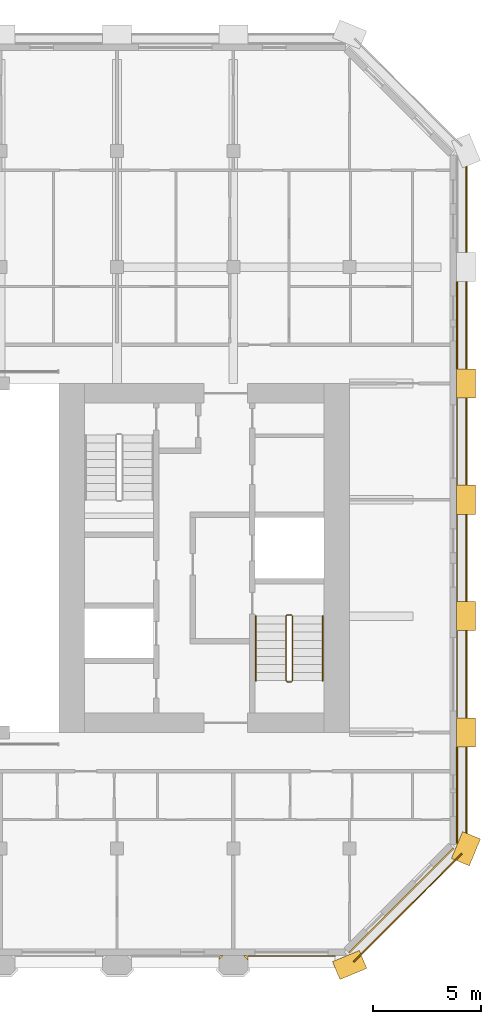
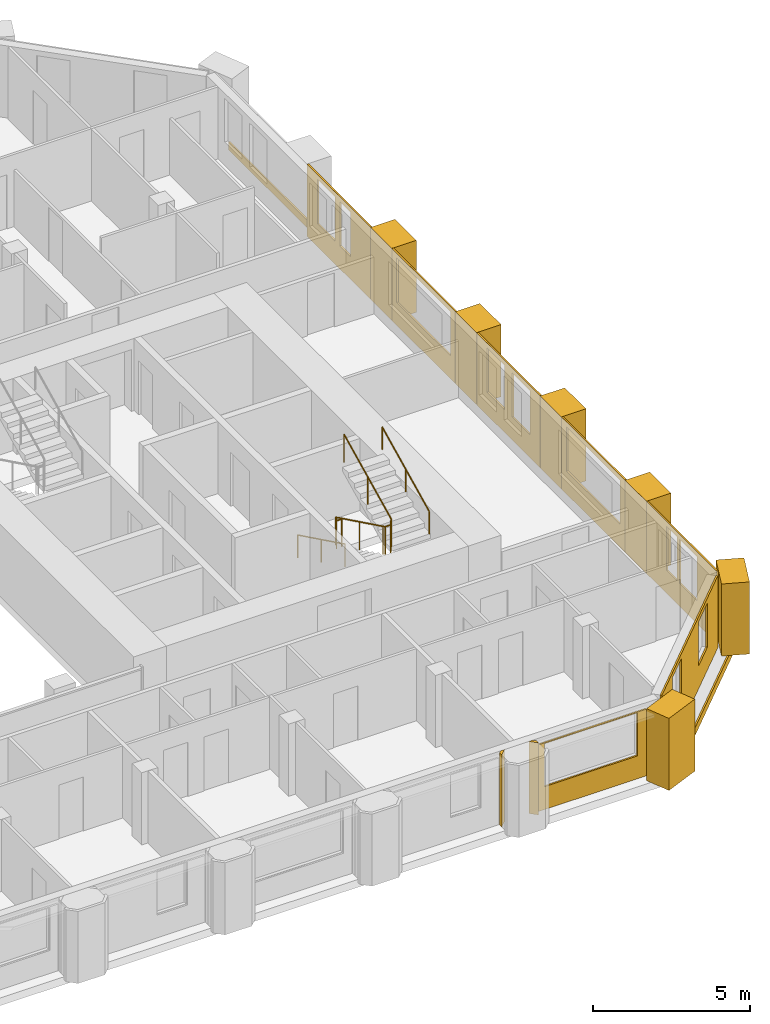
# One storey, part 12 of 13: 17 coverings, 3 railings.
"""IFC4 building model written with IfcOpenShell, lengths in metres."""

from ifc_helpers import new_model, si_unit, direction, frame, frame_2d, origin, origin_2d, place, context, subcontext, project, spatial, polyline, rectangle, circle, outline, extrude, material, layer, layer_set, type_object, element, save


model = new_model("IFC4")

# Units and contexts
model_context = context("Model", 3, precision=1e-05, world=origin(), true_north=direction((0.0, 1.0)))
body_context = subcontext(model_context, "Body", "Model", "MODEL_VIEW")
ifc_project = project(units=[si_unit("LENGTHUNIT", "METRE"), si_unit("AREAUNIT", "SQUARE_METRE"), si_unit("VOLUMEUNIT", "CUBIC_METRE"), si_unit("PLANEANGLEUNIT", "RADIAN"), si_unit("MASSUNIT", "GRAM", prefix="KILO")], contexts=[model_context])

# Site, building, storey
site_placement = place(None, origin())
site = spatial("IfcSite", under=ifc_project, at=site_placement, CompositionType="ELEMENT")
building_placement = place(site_placement, origin())
building = spatial("IfcBuilding", under=site, at=building_placement, Name="Tabaq Tower and Sports Hall", CompositionType="ELEMENT")
storey_placement = place(building_placement, frame((0.0, 0.0, 304.89990234375)))
storey = spatial("IfcBuildingStorey", under=building, at=storey_placement, Name="L76", CompositionType="ELEMENT", Elevation=304.89990234375)

# Coverings
ifc_material_1 = material(Name="Precast concrete C60/75", Category="concrete")
ifc_layer_1 = layer(ifc_material_1, 0.10009765625)
ifc_layer_set_1 = layer_set([ifc_layer_1], Name="Column cladding 100")
covering_type_1 = type_object("IfcCoveringType", Name="Column cladding 100", PredefinedType="CLADDING", material=ifc_layer_set_1)
covering_1_placement = place(storey_placement, origin())
element("IfcCovering", 1, at=covering_1_placement, inside=storey, type_object=covering_type_1, Name="Column cladding L76 PC-8B-R2 2", PredefinedType="CLADDING", context=body_context, shape_type="SweptSolid", body=[
    extrude(outline(polyline([(37.208740234375, 5.849609375), (37.349365234375, 5.849609375), (37.125244140625, 5.625732421875), (37.125244140625, 5.766357421875), (37.208740234375, 5.849609375)])), origin(), (0.0, 0.0, 1.0), 2.800048828125),
])
covering_2_placement = place(storey_placement, origin())
element("IfcCovering", 2, at=covering_2_placement, inside=storey, type_object=covering_type_1, Name="Column cladding L76 PC-8B-R2 3", PredefinedType="CLADDING", context=body_context, shape_type="SweptSolid", body=[
    extrude(outline(polyline([(38.474365234375, 5.62646484375), (38.25146484375, 5.849365234375), (38.39111328125, 5.849365234375), (38.474365234375, 5.76611328125), (38.474365234375, 5.62646484375)])), origin(), (0.0, 0.0, 1.0), 2.800048828125),
])
ifc_material_2 = material(Name="Precast concrete C60/75", Category="concrete")
ifc_layer_2 = layer(ifc_material_2, 0.06005859375)
ifc_layer_set_2 = layer_set([ifc_layer_2], Name="Edge beam cladding 60")
covering_type_2 = type_object("IfcCoveringType", Name="Edge beam cladding 60", PredefinedType="CLADDING", material=ifc_layer_set_2)
covering_3_placement = place(storey_placement, frame((43.39794921875, 5.5556640625, -0.2998046875), z_axis=(0.0, 0.0, 1.0), x_axis=(0.707124002701, 0.707089559252, 0.0)))
element("IfcCovering", 3, at=covering_3_placement, inside=storey, type_object=covering_type_2, Name="Edge beam cladding L76 1", PredefinedType="CLADDING", context=body_context, shape_type="SweptSolid", body=[
    extrude(rectangle(XDim=7.088134765625, YDim=0.06005859375, at=frame_2d((3.5439453125, 0.0))), origin(), (0.0, 0.0, 1.0), 0.2998046875),
])
covering_4_placement = place(storey_placement, frame((48.6298828125, 11.0986328125, -0.2998046875), z_axis=(0.0, 0.0, 1.0), x_axis=(0.0, 1.0, 0.0)))
element("IfcCovering", 4, at=covering_4_placement, inside=storey, type_object=covering_type_2, Name="Edge beam cladding L76 2", PredefinedType="CLADDING", context=body_context, shape_type="SweptSolid", body=[
    extrude(rectangle(XDim=31.802734375, YDim=0.06005859375, at=frame_2d((15.9013671875, 0.0))), origin(), (0.0, 0.0, 1.0), 0.2998046875),
])
ifc_material_3 = material(Name="White precast concrete C60/75", Category="concrete")
covering_type_3 = type_object("IfcCoveringType", Name="Pier cladding hung 1350x900", PredefinedType="CLADDING", material=ifc_material_3)
for number, where, z_axis, x_axis, name in (
    (5, (42.576416015625, 5.1416015625, 0.0), (0.0, 0.0, 1.0), (0.923893411637, 0.382649923473, 0.0), "Hung pier cladding 8/1"),
    (6, (48.341796875, 10.17626953125, 0.0), (0.0, 0.0, 1.0), (0.382649923473, 0.923893411637, 0.0), "Hung pier cladding 9/2"),
    (7, (48.60009765625, 15.52490234375, 0.0), (0.0, 0.0, 1.0), (0.0, 1.0, 0.0), "Hung pier cladding 9/3"),
):
    element("IfcCovering", number, at=place(storey_placement, frame(where, z_axis=z_axis, x_axis=x_axis)), inside=storey, type_object=covering_type_3, Name=name, PredefinedType="CLADDING", context=body_context, shape_type="SweptSolid", body=[
        extrude(rectangle(XDim=1.35009765625, YDim=0.89990234375, at=frame_2d((0.675048828125, 0.0))), origin(), (0.0, 0.0, 1.0), 2.800048828125),
    ])
covering_5_placement = place(storey_placement, frame((48.60009765625, 20.925048828125, 0.0), z_axis=(0.0, 0.0, 1.0), x_axis=(0.0, 1.0, 0.0)))
element("IfcCovering", 8, at=covering_5_placement, inside=storey, type_object=covering_type_3, Name="Hung pier cladding 9/4", PredefinedType="CLADDING", context=body_context, shape_type="SweptSolid", body=[
    extrude(rectangle(XDim=1.349853515625, YDim=0.89990234375, at=frame_2d((0.6748046875, 0.0))), origin(), (0.0, 0.0, 1.0), 2.800048828125),
])
covering_6_placement = place(storey_placement, frame((48.60009765625, 26.324951171875, 0.0), z_axis=(0.0, 0.0, 1.0), x_axis=(0.0, 1.0, 0.0)))
element("IfcCovering", 9, at=covering_6_placement, inside=storey, type_object=covering_type_3, Name="Hung pier cladding 9/5", PredefinedType="CLADDING", context=body_context, shape_type="SweptSolid", body=[
    extrude(rectangle(XDim=1.35009765625, YDim=0.89990234375, at=frame_2d((0.675048828125, 0.0))), origin(), (0.0, 0.0, 1.0), 2.800048828125),
])
covering_7_placement = place(storey_placement, frame((48.60009765625, 31.72509765625, 0.0), z_axis=(0.0, 0.0, 1.0), x_axis=(0.0, 1.0, 0.0)))
element("IfcCovering", 10, at=covering_7_placement, inside=storey, type_object=covering_type_3, Name="Hung pier cladding 9/6", PredefinedType="CLADDING", context=body_context, shape_type="SweptSolid", body=[
    extrude(rectangle(XDim=1.349853515625, YDim=0.89990234375, at=frame_2d((0.6748046875, 0.0))), origin(), (0.0, 0.0, 1.0), 2.800048828125),
])

# Railings
ifc_material_4 = material(Name="Stainless steel", Category="steel")
railing_type_1 = type_object("IfcRailingType", Name="Stair guard", PredefinedType="GUARDRAIL", material=ifc_material_4)
railing_1_placement = place(storey_placement, frame((40.5, 21.64990234375, 0.0)))
element("IfcRailing", 11, at=railing_1_placement, inside=storey, type_object=railing_type_1, Name="L76 ST3 stair guard 1", PredefinedType="GUARDRAIL", context=body_context, shape_type="SweptSolid", body=[
    extrude(circle(Radius=0.02392578125, at=origin_2d()), frame((0.0, 0.0, 1.076171875), z_axis=(-1.0, 0.0, 0.0), x_axis=(0.0, -1.0, 0.0)), (0.0, 0.0, 1.0), 0.199951171875),
    extrude(circle(Radius=0.02392578125, at=origin_2d()), frame((-0.199951171875, 0.0, 1.076171875), z_axis=(-0.254733673405, -0.25349107012, 0.933195066962), x_axis=(0.705375805398, -0.708833529934, 0.0)), (0.0, 0.0, 1.0), 0.196533203125),
    extrude(circle(Radius=0.02392578125, at=origin_2d()), frame((-0.25, -0.0498046875, 1.25927734375), z_axis=(0.0, -0.898368975038, 0.439241601728), x_axis=(1.0, 0.0, 0.0)), (0.0, 0.0, 1.0), 3.33935546875),
    extrude(circle(Radius=0.02392578125, at=origin_2d()), frame((-0.25, -3.0498046875, 2.72607421875), z_axis=(0.707106781187, -0.707106781187, 0.0), x_axis=(0.707106781187, 0.707106781187, 0.0)), (0.0, 0.0, 1.0), 0.07080078125),
    extrude(circle(Radius=0.02392578125, at=origin_2d()), frame((-0.199951171875, -3.099853515625, 2.72607421875), z_axis=(1.0, 0.0, 0.0), x_axis=(0.0, 1.0, 0.0)), (0.0, 0.0, 1.0), 0.199951171875),
    extrude(circle(Radius=0.02392578125, at=origin_2d()), frame((0.0, -3.099853515625, 2.72607421875), z_axis=(0.254653276557, 0.254653276557, 0.932900539971), x_axis=(-0.707106781187, 0.707106781187, 0.0)), (0.0, 0.0, 1.0), 0.196533203125),
    extrude(circle(Radius=0.02392578125, at=origin_2d()), frame((0.050048828125, -3.0498046875, 2.90966796875), z_axis=(0.0, 0.898397823093, 0.439182594671), x_axis=(-1.0, 0.0, 0.0)), (0.0, 0.0, 1.0), 3.33935546875),
    extrude(circle(Radius=0.02099609375, at=origin_2d()), origin(), (0.0, 0.0, 1.0), 1.052001953125),
    extrude(circle(Radius=0.02099609375, at=origin_2d()), frame((-0.199951171875, 0.0, 0.0)), (0.0, 0.0, 1.0), 1.052001953125),
    extrude(circle(Radius=0.02099609375, at=origin_2d()), frame((-0.25, -0.0498046875, 0.183349609375)), (0.0, 0.0, 1.0), 1.052001953125),
    extrude(circle(Radius=0.02099609375, at=origin_2d()), frame((-0.25, -1.5498046875, 0.916748046875)), (0.0, 0.0, 1.0), 1.052001953125),
    extrude(circle(Radius=0.02099609375, at=origin_2d()), frame((-0.25, -3.0498046875, 1.650146484375)), (0.0, 0.0, 1.0), 1.052001953125),
    extrude(circle(Radius=0.02099609375, at=origin_2d()), frame((-0.199951171875, -3.099853515625, 1.650146484375)), (0.0, 0.0, 1.0), 1.052001953125),
    extrude(circle(Radius=0.02099609375, at=origin_2d()), frame((0.0, -3.099853515625, 1.650146484375)), (0.0, 0.0, 1.0), 1.052001953125),
    extrude(circle(Radius=0.02099609375, at=origin_2d()), frame((0.050048828125, -3.0498046875, 1.83349609375)), (0.0, 0.0, 1.0), 1.052001953125),
    extrude(circle(Radius=0.02099609375, at=origin_2d()), frame((0.050048828125, -1.5498046875, 2.56689453125)), (0.0, 0.0, 1.0), 1.052001953125),
    extrude(circle(Radius=0.02099609375, at=origin_2d()), frame((0.050048828125, -0.0498046875, 3.300048828125)), (0.0, 0.0, 1.0), 1.052001953125),
])
ifc_material_5 = material(Name="Stainless steel", Category="steel")
railing_type_2 = type_object("IfcRailingType", Name="Stair handrail", PredefinedType="HANDRAIL", material=ifc_material_5)
railing_2_placement = place(storey_placement, frame((38.85009765625, 21.60009765625, 0.183349609375)))
element("IfcRailing", 12, at=railing_2_placement, inside=storey, type_object=railing_type_2, Name="L76 ST3 stair handrail 1", PredefinedType="HANDRAIL", context=body_context, shape_type="SweptSolid", body=[
    extrude(circle(Radius=0.02392578125, at=origin_2d()), frame((0.0, 0.0, 0.8759765625), z_axis=(0.0, -0.898368975038, 0.439241601728), x_axis=(1.0, 0.0, 0.0)), (0.0, 0.0, 1.0), 3.33935546875),
    extrude(circle(Radius=0.02099609375, at=origin_2d()), origin(), (0.0, 0.0, 1.0), 0.851806640625),
    extrude(circle(Radius=0.02099609375, at=origin_2d()), frame((0.0, -1.5, 0.7333984375)), (0.0, 0.0, 1.0), 0.851806640625),
    extrude(circle(Radius=0.02099609375, at=origin_2d()), frame((0.0, -3.0, 1.466796875)), (0.0, 0.0, 1.0), 0.851806640625),
])
railing_3_placement = place(storey_placement, frame((41.949951171875, 18.60009765625, 1.83349609375)))
element("IfcRailing", 13, at=railing_3_placement, inside=storey, type_object=railing_type_2, Name="L76 ST3 stair handrail 2", PredefinedType="HANDRAIL", context=body_context, shape_type="SweptSolid", body=[
    extrude(circle(Radius=0.02392578125, at=origin_2d()), frame((0.0, 0.0, 0.8759765625), z_axis=(0.0, 0.898397823093, 0.439182594671), x_axis=(-1.0, 0.0, 0.0)), (0.0, 0.0, 1.0), 3.33935546875),
    extrude(circle(Radius=0.02099609375, at=origin_2d()), origin(), (0.0, 0.0, 1.0), 0.851806640625),
    extrude(circle(Radius=0.02099609375, at=origin_2d()), frame((0.0, 1.5, 0.7333984375)), (0.0, 0.0, 1.0), 0.851806640625),
    extrude(circle(Radius=0.02099609375, at=origin_2d()), frame((0.0, 3.0, 1.466552734375)), (0.0, 0.0, 1.0), 0.851806640625),
])

# Coverings
ifc_material_6 = material(Name="Precast concrete C60/75", Category="concrete")
ifc_layer_3 = layer(ifc_material_6, 0.06005859375)
ifc_layer_set_3 = layer_set([ifc_layer_3], Name="White precast cladding panel 60 C60/75")
covering_type_4 = type_object("IfcCoveringType", Name="White precast cladding panel 60 C60/75", PredefinedType="CLADDING", material=ifc_layer_set_3)
covering_8_placement = place(storey_placement, frame((38.485107421875, 5.820068359375, 0.0), z_axis=(0.0, 0.0, 1.0), x_axis=(1.0, 0.0, 0.0)))
element("IfcCovering", 14, at=covering_8_placement, inside=storey, type_object=covering_type_4, Name="White precast cladding panel L76 wall00 6", PredefinedType="CLADDING", context=body_context, shape_type="SweptSolid", body=[
    extrude(outline(polyline([(0.0, 0.0), (4.0498046875, 0.0), (4.0498046875, 2.590087890625), (0.0, 2.590087890625), (0.0, 0.0)]), holes=[polyline([(3.72509765625, 0.89013671875), (0.304931640625, 0.89013671875), (0.304931640625, 2.56005859375), (3.72509765625, 2.56005859375), (3.72509765625, 0.89013671875)])]), frame((0.0, 0.030029296875, 0.0), z_axis=(0.0, -1.0, 0.0), x_axis=(1.0, 0.0, 0.0)), (0.0, 0.0, 1.0), 0.06005859375),
])
covering_9_placement = place(storey_placement, frame((43.177734375, 5.9716796875, 0.0), z_axis=(0.0, 0.0, 1.0), x_axis=(0.707106781187, 0.707106781187, 0.0)))
element("IfcCovering", 15, at=covering_9_placement, inside=storey, type_object=covering_type_4, Name="White precast cladding panel L76 wall01", PredefinedType="CLADDING", context=body_context, shape_type="SweptSolid", body=[
    extrude(outline(polyline([(0.0, 0.0), (6.85986328125, 0.0), (6.85986328125, 2.800048828125), (0.0, 2.800048828125), (0.0, 0.0)]), holes=[polyline([(1.269775390625, 2.610107421875), (2.389892578125, 2.610107421875), (2.389892578125, 0.89013671875), (1.269775390625, 0.89013671875), (1.269775390625, 2.610107421875)]), polyline([(4.4697265625, 2.610107421875), (5.58984375, 2.610107421875), (5.58984375, 0.89013671875), (4.4697265625, 0.89013671875), (4.4697265625, 2.610107421875)])]), frame((0.0, 0.030029296875, 0.0), z_axis=(0.0, -1.0, 0.0), x_axis=(1.0, 0.0, 0.0)), (0.0, 0.0, 1.0), 0.06005859375),
])
covering_10_placement = place(storey_placement, frame((48.179931640625, 11.043212890625, 0.0), z_axis=(0.0, 0.0, 1.0), x_axis=(0.0, 1.0, 0.0)))
element("IfcCovering", 16, at=covering_10_placement, inside=storey, type_object=covering_type_4, Name="White precast cladding panel L76 wall02", PredefinedType="CLADDING", context=body_context, shape_type="SweptSolid", body=[
    extrude(outline(polyline([(0.0, 0.0), (4.4716796875, 0.0), (4.4716796875, 2.800048828125), (0.0, 2.800048828125), (0.0, 0.0)]), holes=[polyline([(1.246826171875, 2.610107421875), (2.366943359375, 2.610107421875), (2.366943359375, 0.89013671875), (1.246826171875, 0.89013671875), (1.246826171875, 2.610107421875)]), polyline([(2.521728515625, 2.610107421875), (3.19189453125, 2.610107421875), (3.19189453125, 0.89013671875), (2.521728515625, 0.89013671875), (2.521728515625, 2.610107421875)])]), frame((0.0, 0.030029296875, 0.0), z_axis=(0.0, -1.0, 0.0), x_axis=(1.0, 0.0, 0.0)), (0.0, 0.0, 1.0), 0.06005859375),
])
covering_11_placement = place(storey_placement, frame((48.179931640625, 16.885009765625, 0.0), z_axis=(0.0, 0.0, 1.0), x_axis=(0.0, 1.0, 0.0)))
element("IfcCovering", 17, at=covering_11_placement, inside=storey, type_object=covering_type_4, Name="White precast cladding panel L76 wall02 2", PredefinedType="CLADDING", context=body_context, shape_type="SweptSolid", body=[
    extrude(outline(polyline([(0.0, 0.0), (4.030029296875, 0.0), (4.030029296875, 2.800048828125), (0.0, 2.800048828125), (0.0, 0.0)]), holes=[polyline([(0.304931640625, 0.89013671875), (0.304931640625, 2.610107421875), (3.72509765625, 2.610107421875), (3.72509765625, 0.89013671875), (0.304931640625, 0.89013671875)])]), frame((0.0, 0.030029296875, 0.0), z_axis=(0.0, -1.0, 0.0), x_axis=(1.0, 0.0, 0.0)), (0.0, 0.0, 1.0), 0.06005859375),
])
covering_12_placement = place(storey_placement, frame((48.179931640625, 22.284912109375, 0.0), z_axis=(0.0, 0.0, 1.0), x_axis=(0.0, 1.0, 0.0)))
element("IfcCovering", 18, at=covering_12_placement, inside=storey, type_object=covering_type_4, Name="White precast cladding panel L76 wall02 3", PredefinedType="CLADDING", context=body_context, shape_type="SweptSolid", body=[
    extrude(outline(polyline([(0.0, 0.0), (4.030029296875, 0.0), (4.030029296875, 2.800048828125), (0.0, 2.800048828125), (0.0, 0.0)]), holes=[polyline([(0.655029296875, 2.610107421875), (1.77490234375, 2.610107421875), (1.77490234375, 0.89013671875), (0.655029296875, 0.89013671875), (0.655029296875, 2.610107421875)]), polyline([(2.2548828125, 2.610107421875), (3.375, 2.610107421875), (3.375, 0.89013671875), (2.2548828125, 0.89013671875), (2.2548828125, 2.610107421875)])]), frame((0.0, 0.030029296875, 0.0), z_axis=(0.0, -1.0, 0.0), x_axis=(1.0, 0.0, 0.0)), (0.0, 0.0, 1.0), 0.06005859375),
])
covering_13_placement = place(storey_placement, frame((48.179931640625, 27.68505859375, 0.0), z_axis=(0.0, 0.0, 1.0), x_axis=(0.0, 1.0, 0.0)))
element("IfcCovering", 19, at=covering_13_placement, inside=storey, type_object=covering_type_4, Name="White precast cladding panel L76 wall02 4", PredefinedType="CLADDING", context=body_context, shape_type="SweptSolid", body=[
    extrude(outline(polyline([(0.0, 0.0), (4.030029296875, 0.0), (4.030029296875, 2.800048828125), (0.0, 2.800048828125), (0.0, 0.0)]), holes=[polyline([(0.304931640625, 0.89013671875), (0.304931640625, 2.610107421875), (3.72509765625, 2.610107421875), (3.72509765625, 0.89013671875), (0.304931640625, 0.89013671875)])]), frame((0.0, 0.030029296875, 0.0), z_axis=(0.0, -1.0, 0.0), x_axis=(1.0, 0.0, 0.0)), (0.0, 0.0, 1.0), 0.06005859375),
])
covering_14_placement = place(storey_placement, frame((48.179931640625, 33.0849609375, 0.0), z_axis=(0.0, 0.0, 1.0), x_axis=(0.0, 1.0, 0.0)))
element("IfcCovering", 20, at=covering_14_placement, inside=storey, type_object=covering_type_4, Name="White precast cladding panel L76 wall02 5", PredefinedType="CLADDING", context=body_context, shape_type="SweptSolid", body=[
    extrude(outline(polyline([(0.0, 0.0), (4.030029296875, 0.0), (4.030029296875, 2.800048828125), (0.0, 2.800048828125), (0.0, 0.0)]), holes=[polyline([(1.280029296875, 2.610107421875), (1.949951171875, 2.610107421875), (1.949951171875, 0.89013671875), (1.280029296875, 0.89013671875), (1.280029296875, 2.610107421875)]), polyline([(2.2548828125, 2.610107421875), (3.375, 2.610107421875), (3.375, 0.89013671875), (2.2548828125, 0.89013671875), (2.2548828125, 2.610107421875)])]), frame((0.0, 0.030029296875, 0.0), z_axis=(0.0, -1.0, 0.0), x_axis=(1.0, 0.0, 0.0)), (0.0, 0.0, 1.0), 0.06005859375),
])

save(model, "model.ifc")
